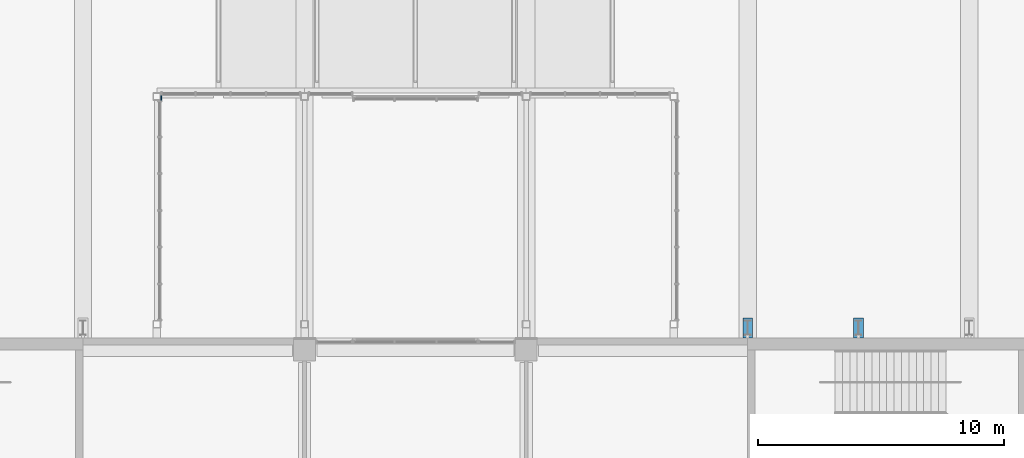
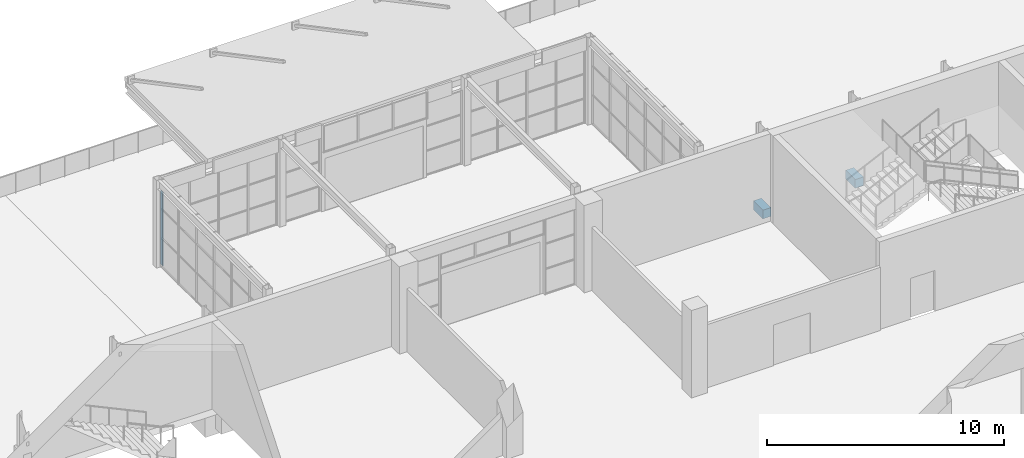
# One storey, part 118 of 168: 3 discrete accessories.
"""IFC4 building model written with IfcOpenShell, lengths in metres."""

from ifc_helpers import new_model, si_unit, direction, frame, origin, origin_2d, place, context, subcontext, project, spatial, rectangle, extrude, material, type_object, element, save


model = new_model("IFC4")

# Units and contexts
model_context = context("Model", 3, precision=1e-05, world=origin(), true_north=direction((0.0, 1.0)))
body_context = subcontext(model_context, "Body", "Model", "MODEL_VIEW")
ifc_project = project(units=[si_unit("LENGTHUNIT", "METRE"), si_unit("AREAUNIT", "SQUARE_METRE"), si_unit("VOLUMEUNIT", "CUBIC_METRE"), si_unit("PLANEANGLEUNIT", "RADIAN"), si_unit("MASSUNIT", "GRAM", prefix="KILO")], contexts=[model_context])

# Site, building, storey
site_placement = place(None, origin())
site = spatial("IfcSite", under=ifc_project, at=site_placement, CompositionType="ELEMENT")
building_placement = place(site_placement, origin())
building = spatial("IfcBuilding", under=site, at=building_placement, Name="Silverbay Arena", CompositionType="ELEMENT")
storey_placement = place(building_placement, frame((0.0, 0.0, 7.0)))
storey = spatial("IfcBuildingStorey", under=building, at=storey_placement, Name="L01", CompositionType="ELEMENT", Elevation=7.0)

# Discrete accessories
ifc_material = material(Name="Steel S355", Category="steel")
discrete_accessory_type = type_object("IfcDiscreteAccessoryType", Name="Steel bracket plate", PredefinedType="BRACKET", material=ifc_material)
for number, where, z_axis, x_axis, name in (
    (1, (144.0, 144.9013671875, 0.0), (0.0, 0.0, 1.0), (1.0, 0.0, 0.0), "Fin base shoe"),
    (2, (148.5, 144.9013671875, 0.0), (0.0, 0.0, 1.0), (1.0, 0.0, 0.0), "Fin base shoe"),
):
    element("IfcDiscreteAccessory", number, at=place(storey_placement, frame(where, z_axis=z_axis, x_axis=x_axis)), inside=storey, type_object=discrete_accessory_type, Name=name, PredefinedType="BRACKET", context=body_context, shape_type="SweptSolid", body=[
        extrude(rectangle(XDim=0.39990234375, YDim=0.802490234375, at=origin_2d()), origin(), (0.0, 0.0, 1.0), 0.449951171875),
    ])
discrete_accessory_placement = place(storey_placement, frame((120.169921875, 154.239990234375, 0.0), z_axis=(0.0, 0.0, 1.0), x_axis=(1.0, 0.0, 0.0)))
element("IfcDiscreteAccessory", 3, at=discrete_accessory_placement, inside=storey, type_object=discrete_accessory_type, Name="Glazing corner closer plate", PredefinedType="BRACKET", context=body_context, shape_type="SweptSolid", body=[
    extrude(rectangle(XDim=0.0400390625, YDim=0.179931640625, at=origin_2d()), origin(), (0.0, 0.0, 1.0), 3.800048828125),
])

save(model, "model.ifc")
